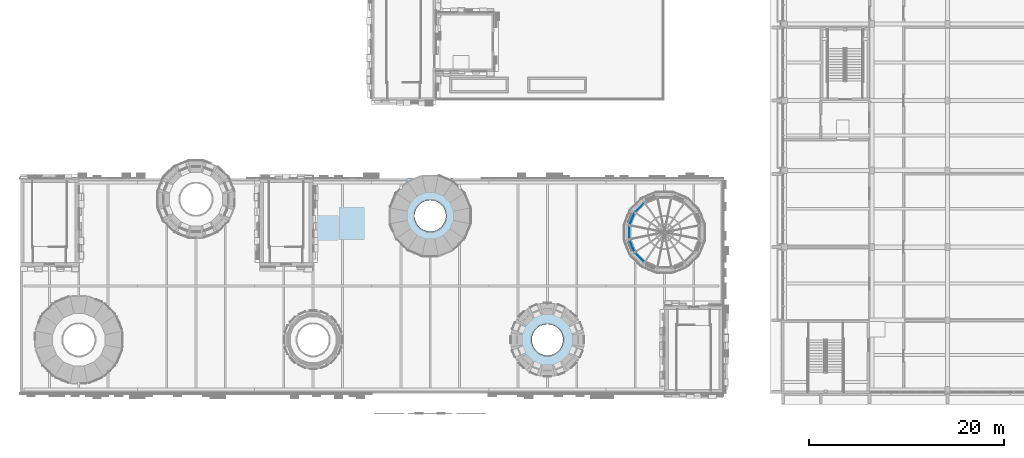
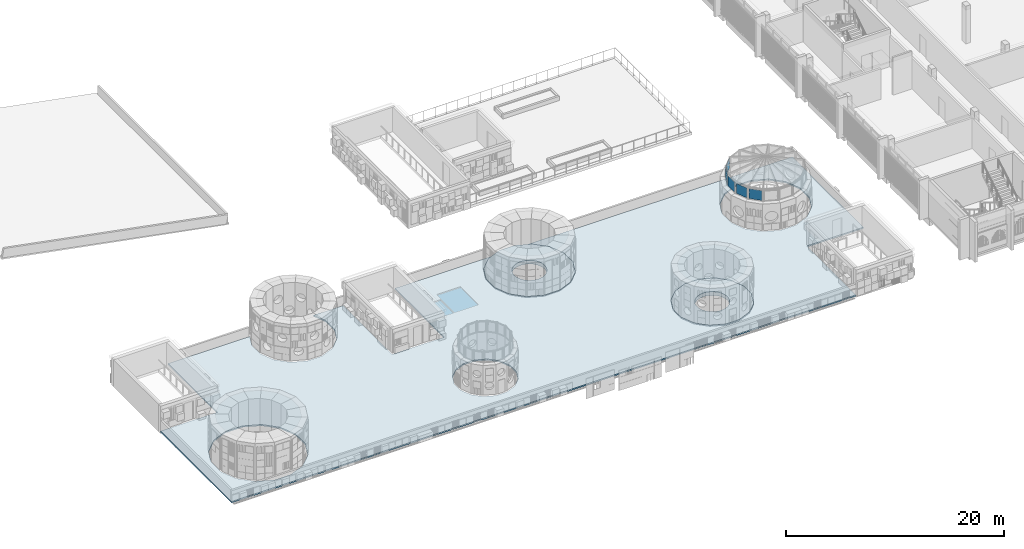
# One storey, part 44 of 98: 5 plates, 3 slabs, 5 elements without a shape of their own.
"""IFC4 building model written with IfcOpenShell, lengths in metres."""

from ifc_helpers import new_model, si_unit, direction, frame, origin, origin_2d, place, context, subcontext, project, spatial, polyline, rectangle, outline, extrude, material, layer, layer_set, type_object, element, aggregate, save


model = new_model("IFC4")

# Units and contexts
model_context = context("Model", 3, precision=1e-05, world=origin(), true_north=direction((0.0, 1.0)))
body_context = subcontext(model_context, "Body", "Model", "MODEL_VIEW")
ifc_project = project(units=[si_unit("LENGTHUNIT", "METRE"), si_unit("AREAUNIT", "SQUARE_METRE"), si_unit("VOLUMEUNIT", "CUBIC_METRE"), si_unit("PLANEANGLEUNIT", "RADIAN"), si_unit("MASSUNIT", "GRAM", prefix="KILO")], contexts=[model_context])

# Site, building, storey
site_placement = place(None, origin())
site = spatial("IfcSite", under=ifc_project, at=site_placement, CompositionType="ELEMENT")
building_placement = place(site_placement, origin())
building = spatial("IfcBuilding", under=site, at=building_placement, Name="Sun Court Science Centre", CompositionType="ELEMENT")
storey_placement = place(building_placement, frame((0.0, 0.0, 15.75)))
storey = spatial("IfcBuildingStorey", under=building, at=storey_placement, Name="L03", CompositionType="ELEMENT", Elevation=15.75)

# Curtain wall, plate
ifc_material_1 = material(Name="Aluminium EN AW-6063 T6", Category="aluminium")
curtain_wall_type = type_object("IfcCurtainWallType", Name="Lantern clerestory curtain wall 1500", PredefinedType="NOTDEFINED", material=ifc_material_1)
curtain_wall_1_placement = place(storey_placement, origin())
curtain_wall_1 = element("IfcCurtainWall", 1, at=curtain_wall_1_placement, inside=storey, type_object=curtain_wall_type, Name="Curtain wall V2 C6 clerestory L03 06", PredefinedType="NOTDEFINED")
ifc_material_2 = material(Name="Insulated glass", Category="glass")
ifc_layer_1 = layer(ifc_material_2, 0.031982421875)
ifc_layer_set_1 = layer_set([ifc_layer_1], Name="Insulated glass")
plate_type = type_object("IfcPlateType", Name="Foyer insulated glazing panel 8-16-8", PredefinedType="CURTAIN_PANEL", material=ifc_layer_set_1)
plate_1_placement = place(storey_placement, frame((63.448974609375, 25.051025390625, 3.099853515625), z_axis=(0.0, 0.0, 1.0), x_axis=(0.707106781187, 0.707106781187, 0.0)))
plate_1 = element("IfcPlate", 2, at=plate_1_placement, type_object=plate_type, Name="CW4-86 panel 1.1", PredefinedType="CURTAIN_PANEL", context=body_context, shape_type="SweptSolid", body=[
    extrude(rectangle(XDim=1.220947265625, YDim=0.031982421875, at=origin_2d()), origin(), (0.0, 0.0, 1.0), 1.10009765625),
])
aggregate(curtain_wall_1, [plate_1])

curtain_wall_2_placement = place(storey_placement, origin())
curtain_wall_2 = element("IfcCurtainWall", 3, at=curtain_wall_2_placement, inside=storey, type_object=curtain_wall_type, Name="Curtain wall V2 C6 clerestory L03 07", PredefinedType="NOTDEFINED")
plate_2_placement = place(storey_placement, frame((62.6669921875, 23.880615234375, 3.099853515625), z_axis=(0.0, 0.0, 1.0), x_axis=(0.382683432365, 0.923879532511, 0.0)))
plate_2 = element("IfcPlate", 4, at=plate_2_placement, type_object=plate_type, Name="Smoke vent opening light CW4-87 panel 1", PredefinedType="CURTAIN_PANEL", context=body_context, shape_type="SweptSolid", body=[
    extrude(rectangle(XDim=1.220947265625, YDim=0.031982421875, at=origin_2d()), origin(), (0.0, 0.0, 1.0), 1.10009765625),
])
aggregate(curtain_wall_2, [plate_2])

curtain_wall_3_placement = place(storey_placement, origin())
curtain_wall_3 = element("IfcCurtainWall", 5, at=curtain_wall_3_placement, inside=storey, type_object=curtain_wall_type, Name="Curtain wall V2 C6 clerestory L03 08", PredefinedType="NOTDEFINED")
plate_3_placement = place(storey_placement, frame((62.392333984375, 22.5, 3.099853515625), z_axis=(0.0, 0.0, 1.0), x_axis=(0.0, 1.0, 0.0)))
plate_3 = element("IfcPlate", 6, at=plate_3_placement, type_object=plate_type, Name="CW4-88 panel 1.1", PredefinedType="CURTAIN_PANEL", context=body_context, shape_type="SweptSolid", body=[
    extrude(rectangle(XDim=1.220947265625, YDim=0.031982421875, at=origin_2d()), origin(), (0.0, 0.0, 1.0), 1.10009765625),
])
aggregate(curtain_wall_3, [plate_3])

curtain_wall_4_placement = place(storey_placement, origin())
curtain_wall_4 = element("IfcCurtainWall", 7, at=curtain_wall_4_placement, inside=storey, type_object=curtain_wall_type, Name="Curtain wall V2 C6 clerestory L03 09", PredefinedType="NOTDEFINED")
plate_4_placement = place(storey_placement, frame((62.6669921875, 21.119384765625, 3.099853515625), z_axis=(0.0, 0.0, 1.0), x_axis=(-0.382683432365, 0.923879532511, 0.0)))
plate_4 = element("IfcPlate", 8, at=plate_4_placement, type_object=plate_type, Name="Smoke vent opening light CW4-89 panel 1", PredefinedType="CURTAIN_PANEL", context=body_context, shape_type="SweptSolid", body=[
    extrude(rectangle(XDim=1.220947265625, YDim=0.031982421875, at=origin_2d()), origin(), (0.0, 0.0, 1.0), 1.10009765625),
])
aggregate(curtain_wall_4, [plate_4])

curtain_wall_5_placement = place(storey_placement, origin())
curtain_wall_5 = element("IfcCurtainWall", 9, at=curtain_wall_5_placement, inside=storey, type_object=curtain_wall_type, Name="Curtain wall V2 C6 clerestory L03 10", PredefinedType="NOTDEFINED")
plate_5_placement = place(storey_placement, frame((63.448974609375, 19.948974609375, 3.099853515625), z_axis=(0.0, 0.0, 1.0), x_axis=(-0.707106781187, 0.707106781187, 0.0)))
plate_5 = element("IfcPlate", 10, at=plate_5_placement, type_object=plate_type, Name="CW4-90 panel 1.1", PredefinedType="CURTAIN_PANEL", context=body_context, shape_type="SweptSolid", body=[
    extrude(rectangle(XDim=1.220947265625, YDim=0.031982421875, at=origin_2d()), origin(), (0.0, 0.0, 1.0), 1.10009765625),
])
aggregate(curtain_wall_5, [plate_5])

# Slabs
ifc_material_3 = material(Name="Concrete C25/30", Category="concrete")
ifc_layer_2 = layer(ifc_material_3, 0.409912109375)
ifc_layer_set_2 = layer_set([ifc_layer_2], Name="Concrete C25/30")
slab_type_1 = type_object("IfcSlabType", Name="RC gallery ledge slab 410", PredefinedType="FLOOR", material=ifc_layer_set_2)
slab_1_placement = place(storey_placement, frame((0.0, 0.0, -0.300048828125)))
element("IfcSlab", 11, at=slab_1_placement, inside=storey, type_object=slab_type_1, Name="Cone 4 gallery ledge", PredefinedType="FLOOR", context=body_context, shape_type="SweptSolid", body=[
    extrude(outline(polyline([(46.119384765625, 23.380615234375), (46.119384765625, 25.019287109375), (45.4921875, 26.533447265625), (44.33349609375, 27.692138671875), (42.8193359375, 28.3193359375), (41.1806640625, 28.3193359375), (39.66650390625, 27.692138671875), (38.5078125, 26.533447265625), (37.880615234375, 25.019287109375), (37.880615234375, 23.380615234375), (38.5078125, 21.86669921875), (39.66650390625, 20.707763671875), (41.1806640625, 20.080810546875), (42.8193359375, 20.080810546875), (44.33349609375, 20.707763671875), (45.4921875, 21.86669921875), (46.119384765625, 23.380615234375)]), holes=[polyline([(43.58642578125, 24.408935546875), (43.60009765625, 24.199951171875), (43.58642578125, 23.9912109375), (43.54541015625, 23.785888671875), (43.478271484375, 23.587646484375), (43.3857421875, 23.39990234375), (43.269287109375, 23.22607421875), (43.13134765625, 23.068603515625), (42.97412109375, 22.9306640625), (42.800048828125, 22.814453125), (42.6123046875, 22.7216796875), (42.4140625, 22.654541015625), (42.208740234375, 22.61376953125), (42.0, 22.60009765625), (41.791259765625, 22.61376953125), (41.5859375, 22.654541015625), (41.3876953125, 22.7216796875), (41.199951171875, 22.814453125), (41.02587890625, 22.9306640625), (40.86865234375, 23.068603515625), (40.730712890625, 23.22607421875), (40.6142578125, 23.39990234375), (40.521728515625, 23.587646484375), (40.45458984375, 23.785888671875), (40.41357421875, 23.9912109375), (40.39990234375, 24.199951171875), (40.41357421875, 24.408935546875), (40.45458984375, 24.614013671875), (40.521728515625, 24.812255859375), (40.6142578125, 25.0), (40.730712890625, 25.174072265625), (40.86865234375, 25.331298828125), (41.02587890625, 25.469482421875), (41.199951171875, 25.585693359375), (41.3876953125, 25.67822265625), (41.5859375, 25.745361328125), (41.791259765625, 25.786376953125), (42.0, 25.800048828125), (42.208740234375, 25.786376953125), (42.4140625, 25.745361328125), (42.6123046875, 25.67822265625), (42.800048828125, 25.585693359375), (42.97412109375, 25.469482421875), (43.13134765625, 25.331298828125), (43.269287109375, 25.174072265625), (43.3857421875, 25.0), (43.478271484375, 24.812255859375), (43.54541015625, 24.614013671875), (43.58642578125, 24.408935546875)])]), origin(), (0.0, 0.0, 1.0), 0.41015625),
])
slab_2_placement = place(storey_placement, frame((0.0, 0.0, -0.300048828125)))
element("IfcSlab", 12, at=slab_2_placement, inside=storey, type_object=slab_type_1, Name="Cone 5 gallery ledge", PredefinedType="FLOOR", context=body_context, shape_type="SweptSolid", body=[
    extrude(outline(polyline([(57.72705078125, 10.758544921875), (57.72705078125, 12.241455078125), (57.15966796875, 13.611083984375), (56.111083984375, 14.65966796875), (54.741455078125, 15.22705078125), (53.258544921875, 15.22705078125), (51.888916015625, 14.65966796875), (50.84033203125, 13.611083984375), (50.27294921875, 12.241455078125), (50.27294921875, 10.758544921875), (50.84033203125, 9.388916015625), (51.888916015625, 8.34033203125), (53.258544921875, 7.77294921875), (54.741455078125, 7.77294921875), (56.111083984375, 8.34033203125), (57.15966796875, 9.388916015625), (57.72705078125, 10.758544921875)]), holes=[polyline([(55.58642578125, 11.708740234375), (55.60009765625, 11.5), (55.58642578125, 11.291259765625), (55.54541015625, 11.0859375), (55.478271484375, 10.8876953125), (55.3857421875, 10.699951171875), (55.269287109375, 10.52587890625), (55.13134765625, 10.36865234375), (54.97412109375, 10.230712890625), (54.800048828125, 10.1142578125), (54.6123046875, 10.021728515625), (54.4140625, 9.95458984375), (54.208740234375, 9.91357421875), (54.0, 9.89990234375), (53.791259765625, 9.91357421875), (53.5859375, 9.95458984375), (53.3876953125, 10.021728515625), (53.199951171875, 10.1142578125), (53.02587890625, 10.230712890625), (52.86865234375, 10.36865234375), (52.730712890625, 10.52587890625), (52.6142578125, 10.699951171875), (52.521728515625, 10.8876953125), (52.45458984375, 11.0859375), (52.41357421875, 11.291259765625), (52.39990234375, 11.5), (52.41357421875, 11.708740234375), (52.45458984375, 11.9140625), (52.521728515625, 12.1123046875), (52.6142578125, 12.300048828125), (52.730712890625, 12.47412109375), (52.86865234375, 12.63134765625), (53.02587890625, 12.769287109375), (53.199951171875, 12.8857421875), (53.3876953125, 12.978271484375), (53.5859375, 13.04541015625), (53.791259765625, 13.08642578125), (54.0, 13.10009765625), (54.208740234375, 13.08642578125), (54.4140625, 13.04541015625), (54.6123046875, 12.978271484375), (54.800048828125, 12.8857421875), (54.97412109375, 12.769287109375), (55.13134765625, 12.63134765625), (55.269287109375, 12.47412109375), (55.3857421875, 12.300048828125), (55.478271484375, 12.1123046875), (55.54541015625, 11.9140625), (55.58642578125, 11.708740234375)])]), origin(), (0.0, 0.0, 1.0), 0.41015625),
])
ifc_material_4 = material(Name="Steel S275", Category="steel")
ifc_layer_3 = layer(ifc_material_4, 0.14990234375)
ifc_layer_set_3 = layer_set([ifc_layer_3], Name="Steel S275")
slab_type_2 = type_object("IfcSlabType", Name="Steel roof deck 150", PredefinedType="ROOF", material=ifc_layer_set_3)
slab_3_placement = place(storey_placement, frame((0.0, 0.0, -0.14990234375)))
element("IfcSlab", 13, at=slab_3_placement, inside=storey, type_object=slab_type_2, Name="Exhibition block roof deck", PredefinedType="ROOF", context=body_context, shape_type="SweptSolid", body=[
    extrude(outline(polyline([(72.0, 28.0), (43.59033203125, 28.0), (44.33349609375, 27.692138671875), (45.4921875, 26.533447265625), (46.119384765625, 25.019287109375), (46.119384765625, 23.380615234375), (45.4921875, 21.86669921875), (44.33349609375, 20.707763671875), (42.8193359375, 20.080810546875), (41.1806640625, 20.080810546875), (39.66650390625, 20.707763671875), (38.5078125, 21.86669921875), (37.880615234375, 23.380615234375), (37.880615234375, 25.019287109375), (38.5078125, 26.533447265625), (39.66650390625, 27.692138671875), (40.40966796875, 28.0), (30.0, 28.0), (30.0, 19.0), (24.5, 19.0), (24.5, 28.0), (21.37646484375, 28.0), (21.923095703125, 26.680419921875), (21.923095703125, 25.11962890625), (21.325927734375, 23.677734375), (20.22216796875, 22.57421875), (18.7802734375, 21.976806640625), (17.2197265625, 21.976806640625), (15.77783203125, 22.57421875), (14.674072265625, 23.677734375), (14.076904296875, 25.11962890625), (14.076904296875, 26.680419921875), (14.62353515625, 28.0), (6.0, 28.0), (6.0, 19.0), (0.0, 19.0), (0.0, 6.0), (66.0, 6.0), (66.0, 15.0), (72.0, 15.0), (72.0, 28.0)]), holes=[polyline([(69.4921875, 20.16650390625), (68.33349609375, 19.0078125), (66.8193359375, 18.380615234375), (65.1806640625, 18.380615234375), (63.66650390625, 19.0078125), (62.5078125, 20.16650390625), (61.880615234375, 21.6806640625), (61.880615234375, 23.3193359375), (62.5078125, 24.83349609375), (63.66650390625, 25.9921875), (65.1806640625, 26.619384765625), (66.8193359375, 26.619384765625), (68.33349609375, 25.9921875), (69.4921875, 24.83349609375), (70.119384765625, 23.3193359375), (70.119384765625, 21.6806640625), (69.4921875, 20.16650390625)]), polyline([(57.15966796875, 9.388916015625), (56.111083984375, 8.34033203125), (54.741455078125, 7.77294921875), (53.258544921875, 7.77294921875), (51.888916015625, 8.34033203125), (50.84033203125, 9.388916015625), (50.27294921875, 10.758544921875), (50.27294921875, 12.241455078125), (50.84033203125, 13.611083984375), (51.888916015625, 14.65966796875), (53.258544921875, 15.22705078125), (54.741455078125, 15.22705078125), (56.111083984375, 14.65966796875), (57.15966796875, 13.611083984375), (57.72705078125, 12.241455078125), (57.72705078125, 10.758544921875), (57.15966796875, 9.388916015625)]), polyline([(32.494384765625, 9.833251953125), (31.666748046875, 9.005615234375), (30.585205078125, 8.5576171875), (29.414794921875, 8.5576171875), (28.333251953125, 9.005615234375), (27.505615234375, 9.833251953125), (27.0576171875, 10.914794921875), (27.0576171875, 12.085205078125), (27.505615234375, 13.166748046875), (28.333251953125, 13.994384765625), (29.414794921875, 14.4423828125), (30.585205078125, 14.4423828125), (31.666748046875, 13.994384765625), (32.494384765625, 13.166748046875), (32.9423828125, 12.085205078125), (32.9423828125, 10.914794921875), (32.494384765625, 9.833251953125)]), polyline([(9.783203125, 8.97216796875), (8.52783203125, 7.716796875), (6.8876953125, 7.037353515625), (5.1123046875, 7.037353515625), (3.47216796875, 7.716796875), (2.216796875, 8.97216796875), (1.537353515625, 10.6123046875), (1.537353515625, 12.3876953125), (2.216796875, 14.02783203125), (3.47216796875, 15.283203125), (5.1123046875, 15.962646484375), (6.8876953125, 15.962646484375), (8.52783203125, 15.283203125), (9.783203125, 14.02783203125), (10.462646484375, 12.3876953125), (10.462646484375, 10.6123046875), (9.783203125, 8.97216796875)])]), origin(), (0.0, 0.0, 1.0), 0.14990234375),
])

save(model, "model.ifc")
